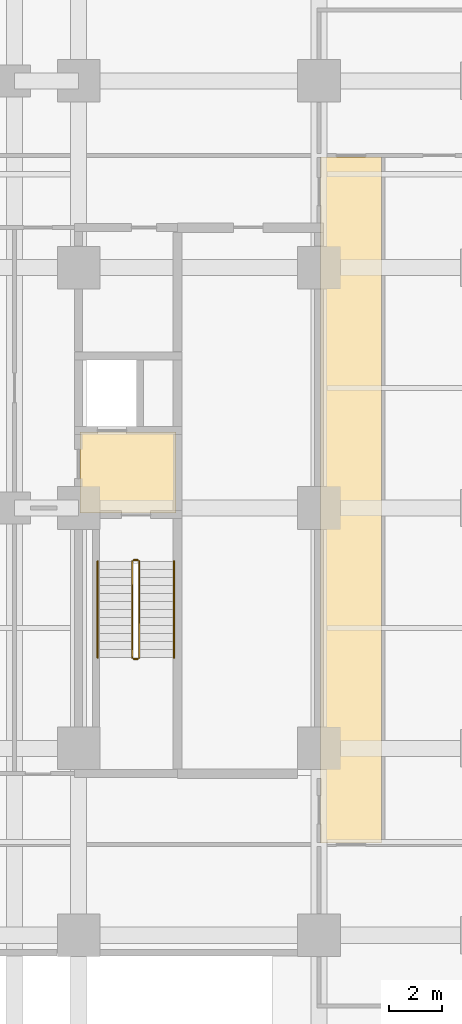
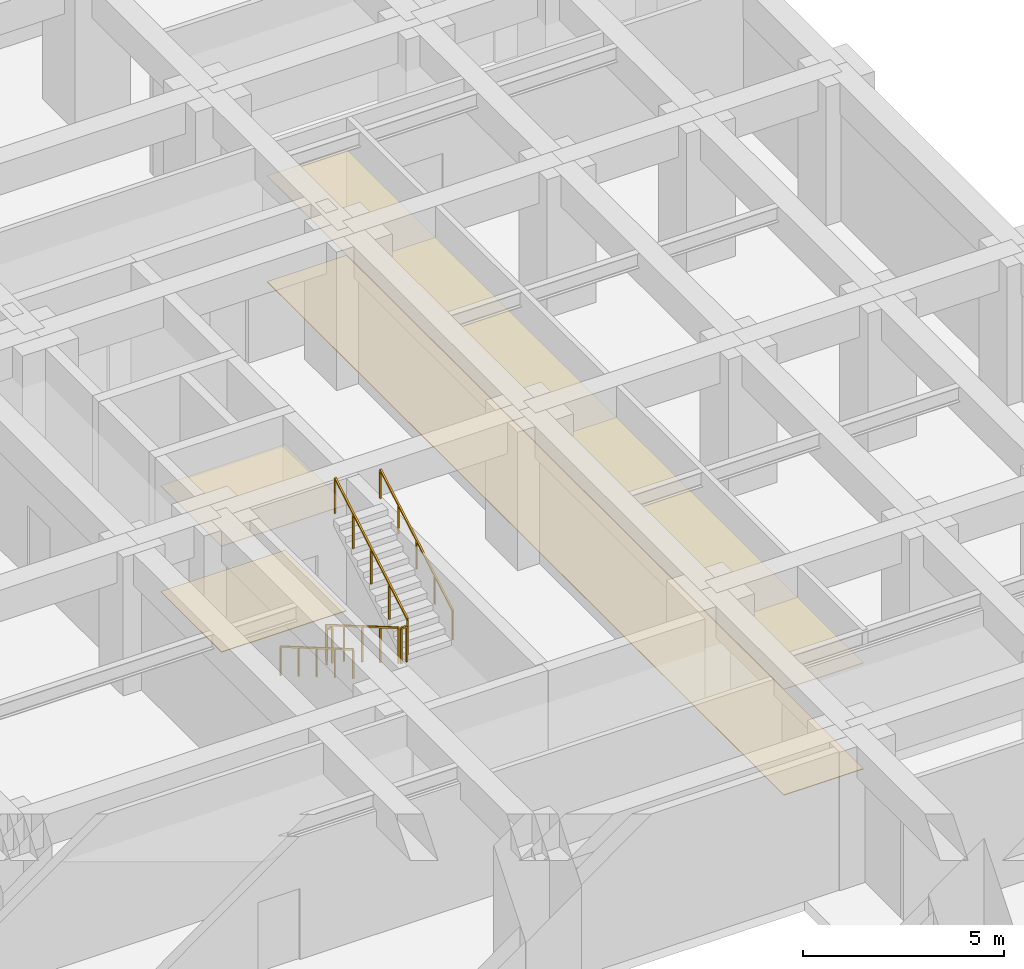
# One storey, part 11 of 14: 6 railings, 4 coverings.
"""IFC4 building model written with IfcOpenShell, lengths in metres."""

from ifc_helpers import new_model, si_unit, direction, frame, origin, origin_2d, place, context, subcontext, project, spatial, polyline, rectangle, outline, extrude, material, layer, layer_set, type_object, element, save


model = new_model("IFC4")

# Units and contexts
model_context = context("Model", 3, precision=1e-05, world=origin(), true_north=direction((0.0, 1.0)))
body_context = subcontext(model_context, "Body", "Model", "MODEL_VIEW")
ifc_project = project(units=[si_unit("LENGTHUNIT", "METRE"), si_unit("AREAUNIT", "SQUARE_METRE"), si_unit("VOLUMEUNIT", "CUBIC_METRE"), si_unit("PLANEANGLEUNIT", "RADIAN"), si_unit("MASSUNIT", "GRAM", prefix="KILO")], contexts=[model_context])

# Site, building, storey
site_placement = place(None, origin())
site = spatial("IfcSite", under=ifc_project, at=site_placement, CompositionType="ELEMENT")
building_placement = place(site_placement, origin())
building = spatial("IfcBuilding", under=site, at=building_placement, Name="Zulmaris Gate Convention Tower", CompositionType="ELEMENT")
storey_placement = place(building_placement, frame((0.0, 0.0, -4.550048828125)))
storey = spatial("IfcBuildingStorey", under=building, at=storey_placement, Name="B1", CompositionType="ELEMENT", Elevation=-4.550048828125)

# Coverings
ifc_material_1 = material(Name="Mineral Fibre Acoustic Ceiling Tile")
ifc_layer_1 = layer(ifc_material_1, 0.02001953125, Name="Mineral Fibre Acoustic Ceiling Tile")
ifc_layer_set_1 = layer_set([ifc_layer_1], Name="Mineral Fibre Acoustic Ceiling Tile")
covering_type_1 = type_object("IfcCoveringType", Name="CLG-ACOUSTIC-600", PredefinedType="CEILING", material=ifc_layer_set_1)
covering_1_placement = place(storey_placement, frame((0.0, 0.0, 3.2099609375)))
element("IfcCovering", 1, at=covering_1_placement, inside=storey, type_object=covering_type_1, Name="CLG-B1-R08", PredefinedType="CEILING", context=body_context, shape_type="SweptSolid", body=[
    extrude(outline(polyline([(11.06005859375, -0.18994140625), (14.639892578125, -0.18994140625), (14.639892578125, 2.840087890625), (11.06005859375, 2.840087890625), (11.06005859375, -0.18994140625)])), origin(), (0.0, 0.0, 1.0), 0.02001953125),
])
covering_2_placement = place(storey_placement, frame((0.0, 0.0, 3.2099609375)))
element("IfcCovering", 2, at=covering_2_placement, inside=storey, type_object=covering_type_1, Name="CLG-B1-R37", PredefinedType="CEILING", context=body_context, shape_type="SweptSolid", body=[
    extrude(outline(polyline([(20.06005859375, -12.5400390625), (22.340087890625, -12.5400390625), (22.340087890625, 13.139892578125), (20.06005859375, 13.139892578125), (20.06005859375, -12.5400390625)])), origin(), (0.0, 0.0, 1.0), 0.02001953125),
])
ifc_material_2 = material(Name="Woven Acoustic Wool Carpet Tile")
ifc_layer_2 = layer(ifc_material_2, 0.02001953125, Name="Woven Acoustic Wool Carpet Tile")
ifc_layer_set_2 = layer_set([ifc_layer_2], Name="Woven Acoustic Wool Carpet Tile")
covering_type_2 = type_object("IfcCoveringType", Name="FLR-CARPET-12", PredefinedType="FLOORING", material=ifc_layer_set_2)
covering_3_placement = place(storey_placement, origin())
element("IfcCovering", 3, at=covering_3_placement, inside=storey, type_object=covering_type_2, Name="FLR-B1-R08", PredefinedType="FLOORING", context=body_context, shape_type="SweptSolid", body=[
    extrude(outline(polyline([(11.06005859375, -0.18994140625), (14.639892578125, -0.18994140625), (14.639892578125, 2.840087890625), (11.06005859375, 2.840087890625), (11.06005859375, -0.18994140625)])), origin(), (0.0, 0.0, 1.0), 0.02001953125),
])
covering_4_placement = place(storey_placement, origin())
element("IfcCovering", 4, at=covering_4_placement, inside=storey, type_object=covering_type_2, Name="FLR-B1-R37", PredefinedType="FLOORING", context=body_context, shape_type="SweptSolid", body=[
    extrude(outline(polyline([(20.06005859375, -12.5400390625), (22.340087890625, -12.5400390625), (22.340087890625, 13.139892578125), (20.06005859375, 13.139892578125), (20.06005859375, -12.5400390625)])), origin(), (0.0, 0.0, 1.0), 0.02001953125),
])

# Railings
ifc_material_3 = material(Name="Painted Galvanised Steel", Category="steel")
railing_type_1 = type_object("IfcRailingType", Name="RL-STG-1150", PredefinedType="GUARDRAIL", material=ifc_material_3)
railing_1_placement = place(storey_placement, frame((13.010009765625, -2.0, 0.175048828125)))
element("IfcRailing", 5, at=railing_1_placement, inside=storey, type_object=railing_type_1, Name="B1 ST-2 stair guard 1", PredefinedType="GUARDRAIL", context=body_context, shape_type="SweptSolid", body=[
    extrude(rectangle(XDim=0.048095703125, YDim=0.048095703125, at=origin_2d()), frame((0.0, 0.0, 1.076171875), z_axis=(0.0, -0.863774651768, 0.503878309678), x_axis=(1.0, 0.0, 0.0)), (0.0, 0.0, 1.0), 4.16796875),
    extrude(rectangle(XDim=0.0419921875, YDim=0.0419921875, at=origin_2d()), origin(), (0.0, 0.0, 1.0), 1.052001953125),
    extrude(rectangle(XDim=0.0419921875, YDim=0.0419921875, at=origin_2d()), frame((0.0, -0.89990234375, 0.52490234375)), (0.0, 0.0, 1.0), 1.052001953125),
    extrude(rectangle(XDim=0.0419921875, YDim=0.0419921875, at=origin_2d()), frame((0.0, -1.800048828125, 1.050048828125)), (0.0, 0.0, 1.0), 1.052001953125),
    extrude(rectangle(XDim=0.0419921875, YDim=0.0419921875, at=origin_2d()), frame((0.0, -2.7001953125, 1.5751953125)), (0.0, 0.0, 1.0), 1.052001953125),
    extrude(rectangle(XDim=0.0419921875, YDim=0.0419921875, at=origin_2d()), frame((0.0, -3.60009765625, 2.10009765625)), (0.0, 0.0, 1.0), 1.052001953125),
])
railing_2_placement = place(storey_placement, frame((13.06005859375, -5.64990234375, 2.275146484375)))
element("IfcRailing", 6, at=railing_2_placement, inside=storey, type_object=railing_type_1, Name="B1 ST-2 stair guard 2", PredefinedType="GUARDRAIL", context=body_context, shape_type="SweptSolid", body=[
    extrude(rectangle(XDim=0.048095703125, YDim=0.048095703125, at=origin_2d()), frame((0.0, 0.0, 1.076171875), z_axis=(1.0, 0.0, 0.0), x_axis=(0.0, 1.0, 0.0)), (0.0, 0.0, 1.0), 0.159912109375),
    extrude(rectangle(XDim=0.0419921875, YDim=0.0419921875, at=origin_2d()), origin(), (0.0, 0.0, 1.0), 1.052001953125),
    extrude(rectangle(XDim=0.0419921875, YDim=0.0419921875, at=origin_2d()), frame((0.159912109375, 0.0, 0.0)), (0.0, 0.0, 1.0), 1.052001953125),
])
railing_3_placement = place(storey_placement, frame((13.27001953125, -5.60009765625, 2.449951171875)))
element("IfcRailing", 7, at=railing_3_placement, inside=storey, type_object=railing_type_1, Name="B1 ST-2 stair guard 3", PredefinedType="GUARDRAIL", context=body_context, shape_type="SweptSolid", body=[
    extrude(rectangle(XDim=0.048095703125, YDim=0.048095703125, at=origin_2d()), frame((0.0, 0.0, 1.076171875), z_axis=(0.0, 0.863774651768, 0.503878309678), x_axis=(-1.0, 0.0, 0.0)), (0.0, 0.0, 1.0), 4.16796875),
    extrude(rectangle(XDim=0.0419921875, YDim=0.0419921875, at=origin_2d()), origin(), (0.0, 0.0, 1.0), 1.052001953125),
    extrude(rectangle(XDim=0.0419921875, YDim=0.0419921875, at=origin_2d()), frame((0.0, 0.89990234375, 0.52490234375)), (0.0, 0.0, 1.0), 1.052001953125),
    extrude(rectangle(XDim=0.0419921875, YDim=0.0419921875, at=origin_2d()), frame((0.0, 1.800048828125, 1.050048828125)), (0.0, 0.0, 1.0), 1.052001953125),
    extrude(rectangle(XDim=0.0419921875, YDim=0.0419921875, at=origin_2d()), frame((0.0, 2.7001953125, 1.5751953125)), (0.0, 0.0, 1.0), 1.052001953125),
    extrude(rectangle(XDim=0.0419921875, YDim=0.0419921875, at=origin_2d()), frame((0.0, 3.60009765625, 2.10009765625)), (0.0, 0.0, 1.0), 1.052001953125),
])
railing_4_placement = place(storey_placement, frame((13.06005859375, -1.949951171875, 0.0)))
element("IfcRailing", 8, at=railing_4_placement, inside=storey, type_object=railing_type_1, Name="B1 ST-2 stair guard 4", PredefinedType="GUARDRAIL", context=body_context, shape_type="SweptSolid", body=[
    extrude(rectangle(XDim=0.048095703125, YDim=0.048095703125, at=origin_2d()), frame((0.0, 0.0, 1.076171875), z_axis=(1.0, 0.0, 0.0), x_axis=(0.0, 1.0, 0.0)), (0.0, 0.0, 1.0), 0.159912109375),
    extrude(rectangle(XDim=0.0419921875, YDim=0.0419921875, at=origin_2d()), origin(), (0.0, 0.0, 1.0), 1.052001953125),
    extrude(rectangle(XDim=0.0419921875, YDim=0.0419921875, at=origin_2d()), frame((0.159912109375, 0.0, 0.0)), (0.0, 0.0, 1.0), 1.052001953125),
])
ifc_material_4 = material(Name="Brushed Stainless Steel", Category="steel")
railing_type_2 = type_object("IfcRailingType", Name="RL-STH-900", PredefinedType="HANDRAIL", material=ifc_material_4)
railing_5_placement = place(storey_placement, frame((11.7099609375, -2.0, 0.175048828125)))
element("IfcRailing", 9, at=railing_5_placement, inside=storey, type_object=railing_type_2, Name="B1 ST-2 stair handrail 1", PredefinedType="HANDRAIL", context=body_context, shape_type="SweptSolid", body=[
    extrude(rectangle(XDim=0.048095703125, YDim=0.048095703125, at=origin_2d()), frame((0.0, 0.0, 0.8759765625), z_axis=(0.0, -0.863774651768, 0.503878309678), x_axis=(1.0, 0.0, 0.0)), (0.0, 0.0, 1.0), 4.16796875),
    extrude(rectangle(XDim=0.0419921875, YDim=0.0419921875, at=origin_2d()), origin(), (0.0, 0.0, 1.0), 0.851806640625),
    extrude(rectangle(XDim=0.0419921875, YDim=0.0419921875, at=origin_2d()), frame((0.0, -0.89990234375, 0.52490234375)), (0.0, 0.0, 1.0), 0.851806640625),
    extrude(rectangle(XDim=0.0419921875, YDim=0.0419921875, at=origin_2d()), frame((0.0, -1.800048828125, 1.050048828125)), (0.0, 0.0, 1.0), 0.851806640625),
    extrude(rectangle(XDim=0.0419921875, YDim=0.0419921875, at=origin_2d()), frame((0.0, -2.7001953125, 1.5751953125)), (0.0, 0.0, 1.0), 0.851806640625),
    extrude(rectangle(XDim=0.0419921875, YDim=0.0419921875, at=origin_2d()), frame((0.0, -3.60009765625, 2.10009765625)), (0.0, 0.0, 1.0), 0.851806640625),
])
railing_6_placement = place(storey_placement, frame((14.570068359375, -5.60009765625, 2.449951171875)))
element("IfcRailing", 10, at=railing_6_placement, inside=storey, type_object=railing_type_2, Name="B1 ST-2 stair handrail 2", PredefinedType="HANDRAIL", context=body_context, shape_type="SweptSolid", body=[
    extrude(rectangle(XDim=0.048095703125, YDim=0.048095703125, at=origin_2d()), frame((0.0, 0.0, 0.8759765625), z_axis=(0.0, 0.863774651768, 0.503878309678), x_axis=(-1.0, 0.0, 0.0)), (0.0, 0.0, 1.0), 4.16796875),
    extrude(rectangle(XDim=0.0419921875, YDim=0.0419921875, at=origin_2d()), origin(), (0.0, 0.0, 1.0), 0.851806640625),
    extrude(rectangle(XDim=0.0419921875, YDim=0.0419921875, at=origin_2d()), frame((0.0, 0.89990234375, 0.52490234375)), (0.0, 0.0, 1.0), 0.851806640625),
    extrude(rectangle(XDim=0.0419921875, YDim=0.0419921875, at=origin_2d()), frame((0.0, 1.800048828125, 1.050048828125)), (0.0, 0.0, 1.0), 0.851806640625),
    extrude(rectangle(XDim=0.0419921875, YDim=0.0419921875, at=origin_2d()), frame((0.0, 2.7001953125, 1.5751953125)), (0.0, 0.0, 1.0), 0.851806640625),
    extrude(rectangle(XDim=0.0419921875, YDim=0.0419921875, at=origin_2d()), frame((0.0, 3.60009765625, 2.10009765625)), (0.0, 0.0, 1.0), 0.851806640625),
])

save(model, "model.ifc")
